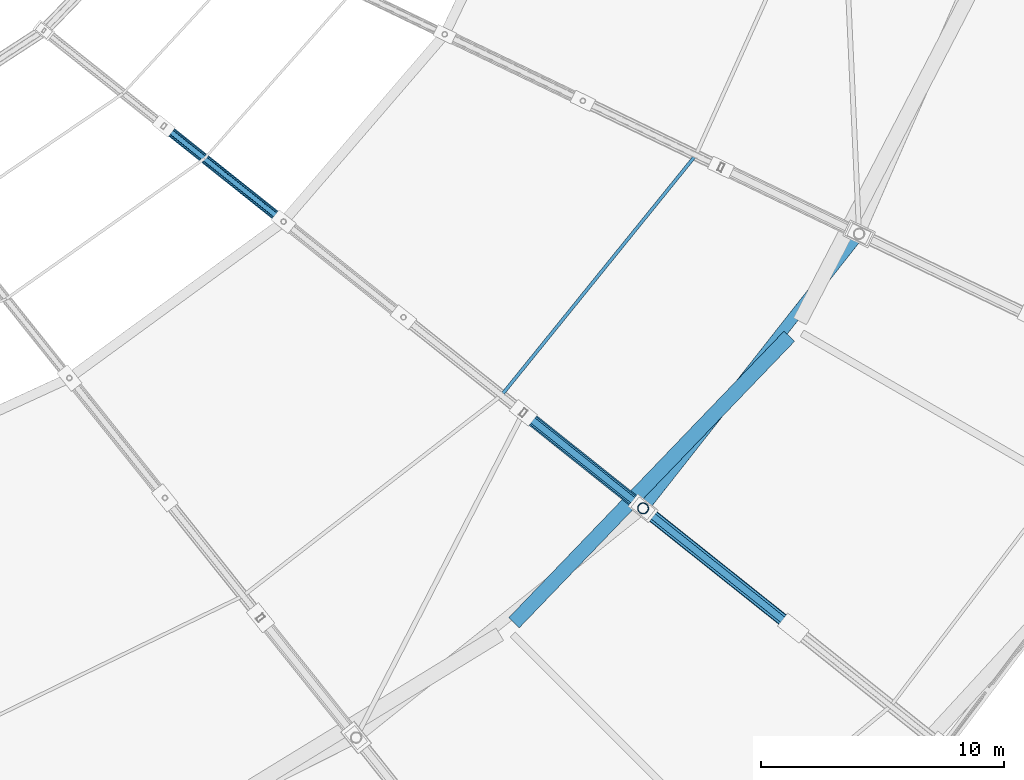
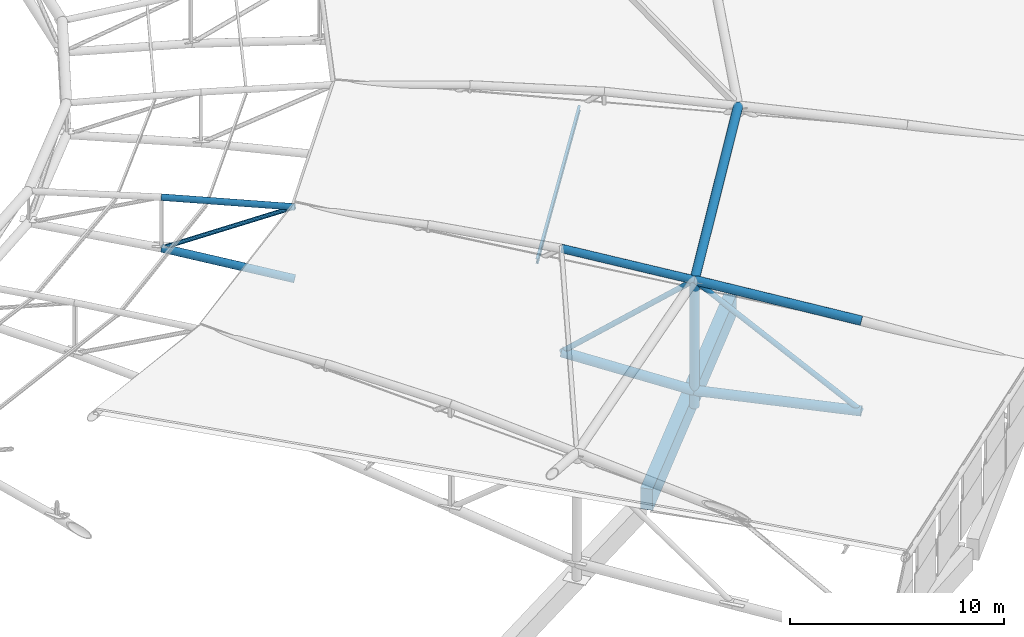
# One storey, part 64 of 108: 12 members, 1 beam.
"""IFC4 building model written with IfcOpenShell, lengths in metres."""

from ifc_helpers import new_model, si_unit, direction, frame, origin, origin_2d, place, context, subcontext, project, spatial, rectangle, hollow_circle, i_section, extrude, material, material_profile, profile_set, type_object, element, save


model = new_model("IFC4")

# Units and contexts
model_context = context("Model", 3, precision=1e-05, world=origin(), true_north=direction((0.0, 1.0)))
body_context = subcontext(model_context, "Body", "Model", "MODEL_VIEW")
ifc_project = project(units=[si_unit("LENGTHUNIT", "METRE"), si_unit("AREAUNIT", "SQUARE_METRE"), si_unit("VOLUMEUNIT", "CUBIC_METRE"), si_unit("PLANEANGLEUNIT", "RADIAN"), si_unit("MASSUNIT", "GRAM", prefix="KILO")], contexts=[model_context])

# Site, building, storey
site_placement = place(None, origin())
site = spatial("IfcSite", under=ifc_project, at=site_placement, CompositionType="ELEMENT")
building_placement = place(site_placement, origin())
building = spatial("IfcBuilding", under=site, at=building_placement, Name="Zevraka Park Crest Stadium", CompositionType="ELEMENT")
storey_placement = place(building_placement, frame((0.0, 0.0, 29.39990234375)))
storey = spatial("IfcBuildingStorey", under=building, at=storey_placement, Name="RF", CompositionType="ELEMENT", Elevation=29.39990234375)

# Member
ifc_material_1 = material(Name="Steel S355", Category="steel")
ifc_material_profile_1 = material_profile(ifc_material_1, i_section(OverallWidth=0.135009765625, OverallDepth=0.27001953125, WebThickness=0.006591796875, FlangeThickness=0.01025390625, at=origin_2d()), Name="IPE 270")
ifc_profile_set_1 = profile_set([ifc_material_profile_1], Name="Steel S355")
member_type_1 = type_object("IfcMemberType", Name="PR04", PredefinedType="PURLIN", material=ifc_profile_set_1)
member_1_placement = place(storey_placement, frame((164.423095703125, 59.5458984375, 7.488037109375), z_axis=(0.629088704104, 0.777333520677, 0.0), x_axis=(-0.777333520677, 0.629088704104, 0.0)))
element("IfcMember", 1, at=member_1_placement, inside=storey, type_object=member_type_1, Name="Canopy Roof Purlin PR04 OUTER-26-2", PredefinedType="PURLIN", context=body_context, shape_type="SweptSolid", body=[
    extrude(i_section(OverallWidth=0.135009765625, OverallDepth=0.27001953125, WebThickness=0.006591796875, FlangeThickness=0.01025390625, at=origin_2d()), origin(), (0.0, 0.0, 1.0), 12.697509765625),
])

# Beam
ifc_material_2 = material(Name="Concrete C40/50", Category="concrete")
ifc_material_profile_2 = material_profile(ifc_material_2, rectangle(XDim=0.60009765625, YDim=1.199951171875, at=origin_2d()), Name="RC 1200x600")
ifc_profile_set_2 = profile_set([ifc_material_profile_2], Name="Concrete C40/50")
beam_type = type_object("IfcBeamType", Name="RB01", PredefinedType="BEAM", material=ifc_profile_set_2)
beam_placement = place(storey_placement, frame((164.94189453125, 50.200927734375, -0.599853515625), z_axis=(0.692852617328, 0.721079226342, 0.0), x_axis=(-0.721079226342, 0.692852617328, 0.0)))
element("IfcBeam", 2, at=beam_placement, inside=storey, type_object=beam_type, Name="Ring Beam RB01 RF-B-21", PredefinedType="BEAM", context=body_context, shape_type="SweptSolid", body=[
    extrude(rectangle(XDim=0.60009765625, YDim=1.199951171875, at=origin_2d()), origin(), (0.0, 0.0, 1.0), 16.329833984375),
])

# Members
ifc_material_3 = material(Name="Steel S355", Category="steel")
ifc_material_profile_3 = material_profile(ifc_material_3, hollow_circle(Radius=0.25390625, WallThickness=0.030029296875, at=origin_2d()), Name="CHS 508.0x30")
ifc_profile_set_3 = profile_set([ifc_material_profile_3], Name="Steel S355")
member_type_2 = type_object("IfcMemberType", Name="TC01", PredefinedType="CHORD", material=ifc_profile_set_3)
member_2_placement = place(storey_placement, frame((176.423095703125, 49.97705078125, 0.550048828125), z_axis=(-0.78112320317, 0.622805358585, 0.044272189769), x_axis=(-0.623416614884, -0.781889841529, 0.0)))
element("IfcMember", 3, at=member_2_placement, inside=storey, type_object=member_type_2, Name="Roof Truss Bottom Chord TC01 T26-2", PredefinedType="CHORD", context=body_context, shape_type="SweptSolid", body=[
    extrude(hollow_circle(Radius=0.25390625, WallThickness=0.030029296875, at=origin_2d()), origin(), (0.0, 0.0, 1.0), 7.907958984375),
])
member_3_placement = place(storey_placement, frame((170.24609375, 54.902099609375, 0.900146484375), z_axis=(-0.759158693426, 0.605467913475, 0.238928198313), x_axis=(-0.623526977414, -0.781801834506, 0.0)))
element("IfcMember", 4, at=member_3_placement, inside=storey, type_object=member_type_2, Name="Roof Truss Bottom Chord TC01 T26-3", PredefinedType="CHORD", context=body_context, shape_type="SweptSolid", body=[
    extrude(hollow_circle(Radius=0.25390625, WallThickness=0.030029296875, at=origin_2d()), origin(), (0.0, 0.0, 1.0), 6.487548828125),
])
ifc_material_4 = material(Name="Steel S355", Category="steel")
ifc_material_profile_4 = material_profile(ifc_material_4, hollow_circle(Radius=0.228515625, WallThickness=0.02490234375, at=origin_2d()), Name="CHS 457.0x25")
ifc_profile_set_4 = profile_set([ifc_material_profile_4], Name="Steel S355")
member_type_3 = type_object("IfcMemberType", Name="TC02", PredefinedType="CHORD", material=ifc_profile_set_4)
member_4_placement = place(storey_placement, frame((170.24609375, 54.902099609375, 0.0), z_axis=(0.0, 0.0, 1.0), x_axis=(-0.781847027868, 0.623470308046, 0.0)))
element("IfcMember", 5, at=member_4_placement, inside=storey, type_object=member_type_3, Name="Roof Truss Anchor Strut TC02 T26-2", PredefinedType="CHORD", context=body_context, shape_type="SweptSolid", body=[
    extrude(hollow_circle(Radius=0.228515625, WallThickness=0.02490234375, at=origin_2d()), origin(), (0.0, 0.0, 1.0), 7.2001953125),
])
member_5_placement = place(storey_placement, frame((176.423095703125, 49.97705078125, 5.7001953125), z_axis=(-0.768165836741, 0.612474187762, 0.186538512349), x_axis=(-0.623416614884, -0.781889841529, 0.0)))
element("IfcMember", 6, at=member_5_placement, inside=storey, type_object=member_type_3, Name="Roof Truss Top Chord TC02 T26-2", PredefinedType="CHORD", context=body_context, shape_type="SweptSolid", body=[
    extrude(hollow_circle(Radius=0.228515625, WallThickness=0.02490234375, at=origin_2d()), origin(), (0.0, 0.0, 1.0), 8.041259765625),
])
member_6_placement = place(storey_placement, frame((170.24609375, 54.902099609375, 7.2001953125), z_axis=(0.618319416276, 0.785926904652, 0.0), x_axis=(-0.785926904652, 0.618319416276, 0.0)))
element("IfcMember", 7, at=member_6_placement, inside=storey, type_object=member_type_3, Name="Roof Main Bowl-Rim Ring Chord TC02 26", PredefinedType="CHORD", context=body_context, shape_type="SweptSolid", body=[
    extrude(hollow_circle(Radius=0.228515625, WallThickness=0.02490234375, at=origin_2d()), origin(), (0.0, 0.0, 1.0), 14.35498046875),
])
ifc_material_5 = material(Name="Steel S355", Category="steel")
ifc_material_profile_5 = material_profile(ifc_material_5, hollow_circle(Radius=0.203125, WallThickness=0.02001953125, at=origin_2d()), Name="CHS 406.4x20")
ifc_profile_set_5 = profile_set([ifc_material_profile_5], Name="Steel S355")
member_type_4 = type_object("IfcMemberType", Name="TC03", PredefinedType="CHORD", material=ifc_profile_set_5)
member_7_placement = place(storey_placement, frame((170.24609375, 54.902099609375, 7.2001953125), z_axis=(-0.769094032143, 0.613391854615, 0.179568378099), x_axis=(-0.623526977414, -0.781801834506, 0.0)))
element("IfcMember", 8, at=member_7_placement, inside=storey, type_object=member_type_4, Name="Roof Truss Top Chord TC03 T26-3", PredefinedType="CHORD", context=body_context, shape_type="SweptSolid", body=[
    extrude(hollow_circle(Radius=0.203125, WallThickness=0.02001953125, at=origin_2d()), origin(), (0.0, 0.0, 1.0), 6.40380859375),
])
member_8_placement = place(storey_placement, frame((155.469970703125, 66.68603515625, 5.300048828125), z_axis=(-0.770209161073, 0.614159448506, 0.172005872022), x_axis=(-0.623451415626, -0.781862092926, 0.0)))
element("IfcMember", 9, at=member_8_placement, inside=storey, type_object=member_type_4, Name="Roof Truss Bottom Chord TC03 T26-6", PredefinedType="CHORD", context=body_context, shape_type="SweptSolid", body=[
    extrude(hollow_circle(Radius=0.203125, WallThickness=0.02001953125, at=origin_2d()), origin(), (0.0, 0.0, 1.0), 6.395751953125),
])
ifc_material_6 = material(Name="Steel S355", Category="steel")
ifc_material_profile_6 = material_profile(ifc_material_6, hollow_circle(Radius=0.161865234375, WallThickness=0.01611328125, at=origin_2d()), Name="CHS 323.9x16")
ifc_profile_set_6 = profile_set([ifc_material_profile_6], Name="Steel S355")
member_type_5 = type_object("IfcMemberType", Name="TC04", PredefinedType="CHORD", material=ifc_profile_set_6)
member_9_placement = place(storey_placement, frame((155.469970703125, 66.68603515625, 9.400146484375), z_axis=(-0.781763434815, 0.623372746332, -0.01588556318), x_axis=(-0.623451415626, -0.781862092926, 0.0)))
element("IfcMember", 10, at=member_9_placement, inside=storey, type_object=member_type_5, Name="Roof Truss Top Chord TC04 T26-6", PredefinedType="CHORD", context=body_context, shape_type="SweptSolid", body=[
    extrude(hollow_circle(Radius=0.161865234375, WallThickness=0.01611328125, at=origin_2d()), origin(), (0.0, 0.0, 1.0), 6.30126953125),
])
ifc_material_7 = material(Name="Steel S355", Category="steel")
ifc_material_profile_7 = material_profile(ifc_material_7, hollow_circle(Radius=0.136474609375, WallThickness=0.012451171875, at=origin_2d()), Name="CHS 273.0x12.5")
ifc_profile_set_7 = profile_set([ifc_material_profile_7], Name="Steel S355")
member_type_6 = type_object("IfcMemberType", Name="WB01", PredefinedType="BRACE", material=ifc_profile_set_7)
member_10_placement = place(storey_placement, frame((176.423095703125, 49.97705078125, 0.550048828125), z_axis=(-0.598171895556, 0.476934573695, 0.643990524606), x_axis=(-0.623416614884, -0.781889841529, 0.0)))
element("IfcMember", 11, at=member_10_placement, inside=storey, type_object=member_type_6, Name="Roof Truss Web Diagonal WB01 T26-2", PredefinedType="BRACE", context=body_context, shape_type="SweptSolid", body=[
    extrude(hollow_circle(Radius=0.136474609375, WallThickness=0.012451171875, at=origin_2d()), origin(), (0.0, 0.0, 1.0), 10.326416015625),
])
member_11_placement = place(storey_placement, frame((165.321044921875, 58.830078125, 2.4501953125), z_axis=(0.62423650288, -0.49786056089, 0.602049541468), x_axis=(0.623526977414, 0.781801834506, 0.0)))
element("IfcMember", 12, at=member_11_placement, inside=storey, type_object=member_type_6, Name="Roof Truss Web Diagonal WB01 T26-3", PredefinedType="BRACE", context=body_context, shape_type="SweptSolid", body=[
    extrude(hollow_circle(Radius=0.136474609375, WallThickness=0.012451171875, at=origin_2d()), origin(), (0.0, 0.0, 1.0), 7.8896484375),
])
ifc_material_8 = material(Name="Steel S355", Category="steel")
ifc_material_profile_8 = material_profile(ifc_material_8, hollow_circle(Radius=0.109619140625, WallThickness=0.010009765625, at=origin_2d()), Name="CHS 219.1x10")
ifc_profile_set_8 = profile_set([ifc_material_profile_8], Name="Steel S355")
member_type_7 = type_object("IfcMemberType", Name="WB02", PredefinedType="BRACE", material=ifc_profile_set_8)
member_12_placement = place(storey_placement, frame((150.5439453125, 70.614013671875, 6.400146484375), z_axis=(0.70592020781, -0.562895882612, 0.429912648737), x_axis=(0.623451415626, 0.781862092926, 0.0)))
element("IfcMember", 13, at=member_12_placement, inside=storey, type_object=member_type_7, Name="Roof Truss Web Diagonal WB02 T26-6", PredefinedType="BRACE", context=body_context, shape_type="SweptSolid", body=[
    extrude(hollow_circle(Radius=0.109619140625, WallThickness=0.010009765625, at=origin_2d()), origin(), (0.0, 0.0, 1.0), 6.978271484375),
])

save(model, "model.ifc")
